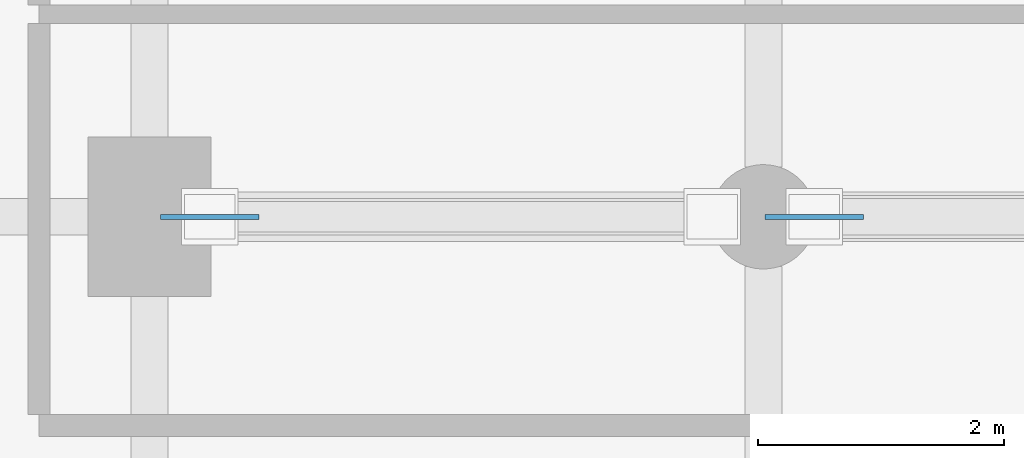
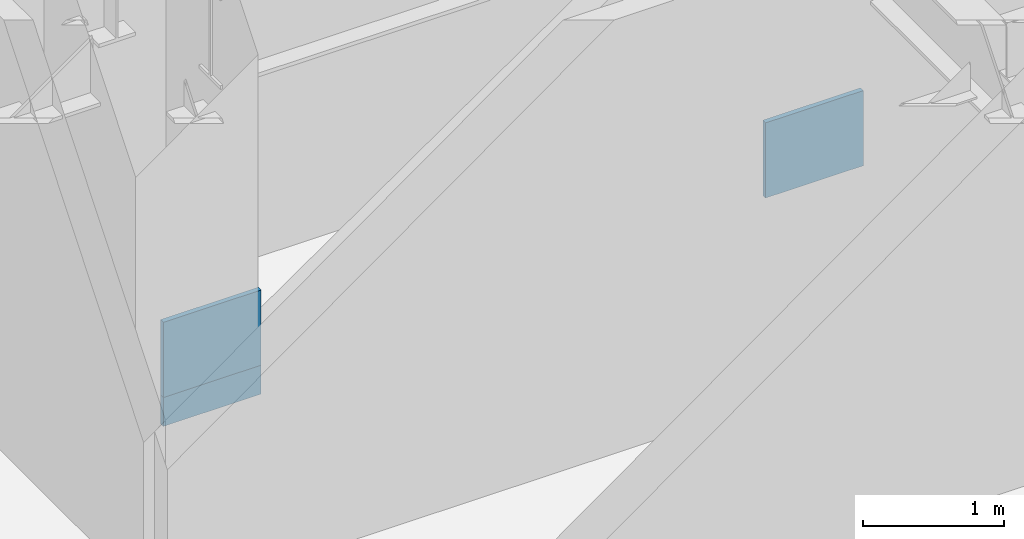
# One storey, part 4 of 13: 3 plates.
"""IFC4 building model written with IfcOpenShell, lengths in metres."""

from ifc_helpers import new_model, si_unit, direction, frame, origin, origin_2d, place, context, subcontext, project, spatial, rectangle, extrude, material, layer, layer_set, type_object, element, save


model = new_model("IFC4")

# Units and contexts
model_context = context("Model", 3, precision=1e-05, world=origin(), true_north=direction((0.0, 1.0)))
body_context = subcontext(model_context, "Body", "Model", "MODEL_VIEW")
ifc_project = project(units=[si_unit("LENGTHUNIT", "METRE"), si_unit("AREAUNIT", "SQUARE_METRE"), si_unit("VOLUMEUNIT", "CUBIC_METRE"), si_unit("PLANEANGLEUNIT", "RADIAN"), si_unit("MASSUNIT", "GRAM", prefix="KILO")], contexts=[model_context])

# Site, building, storey
site_placement = place(None, origin())
site = spatial("IfcSite", under=ifc_project, at=site_placement, CompositionType="ELEMENT")
building_placement = place(site_placement, origin())
building = spatial("IfcBuilding", under=site, at=building_placement, Name="Sulina Concourse Tower", CompositionType="ELEMENT")
storey_placement = place(building_placement, frame((0.0, 0.0, 202.60009765625)))
storey = spatial("IfcBuildingStorey", under=building, at=storey_placement, Name="L49", CompositionType="ELEMENT", Elevation=202.60009765625)

# Plates
ifc_material = material(Name="Steel S355", Category="steel")
ifc_layer = layer(ifc_material, 0.0400390625)
ifc_layer_set = layer_set([ifc_layer], Name="Steel S355")
plate_type = type_object("IfcPlateType", Name="Upper Bridge Node Gusset Plate 40mm", PredefinedType="USERDEFINED", material=ifc_layer_set)
for number, where, z_axis, x_axis, name in (
    (1, (24.489990234375, 18.0, 0.344970703125), (0.0, 0.0, 1.0), (1.0, 0.0, 0.0), "UBT-CH-1-L49 node gusset plate"),
    (2, (24.489990234375, 18.0, 0.094970703125), (0.0, 0.0, 1.0), (1.0, 0.0, 0.0), "UBT-DG-1-L49 node gusset plate"),
    (3, (29.4150390625, 18.0, 0.344970703125), (0.0, 0.0, 1.0), (1.0, 0.0, 0.0), "UBT-CH-2-L49 node gusset plate"),
):
    element("IfcPlate", number, at=place(storey_placement, frame(where, z_axis=z_axis, x_axis=x_axis)), inside=storey, type_object=plate_type, Name=name, ObjectType="GUSSET_PLATE", PredefinedType="USERDEFINED", context=body_context, shape_type="SweptSolid", body=[
        extrude(rectangle(XDim=0.800048828125, YDim=0.0400390625, at=origin_2d()), origin(), (0.0, 0.0, 1.0), 0.64990234375),
    ])

save(model, "model.ifc")
